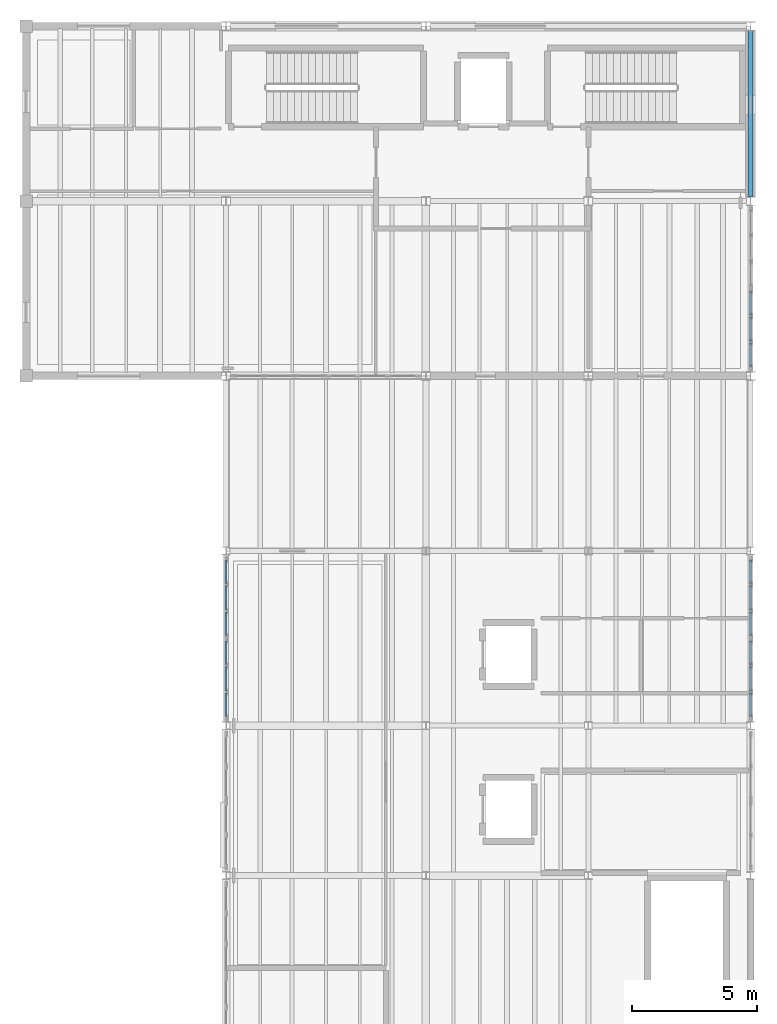
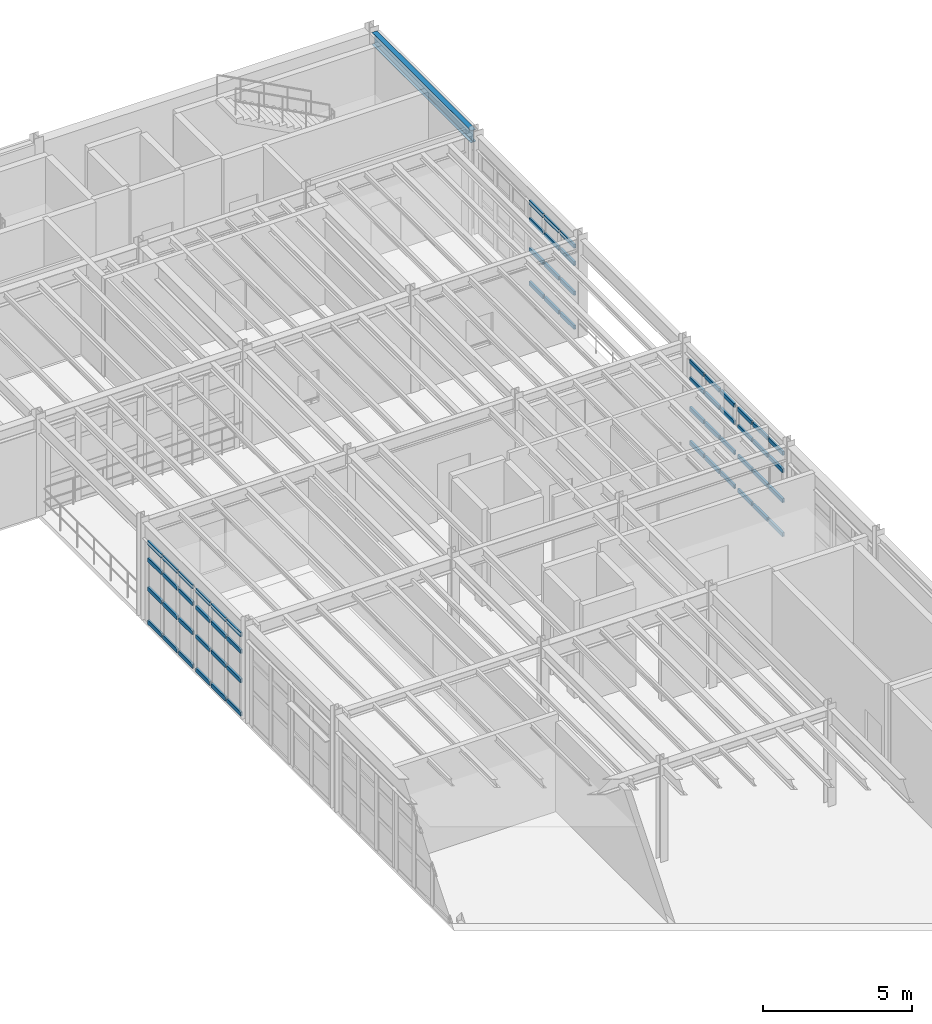
# One storey, part 17 of 27: 60 members, 1 beam, 5 elements without a shape of their own.
"""IFC4 building model written with IfcOpenShell, lengths in metres."""

from ifc_helpers import new_model, si_unit, direction, frame, origin, origin_2d, place, context, subcontext, project, spatial, hollow_rectangle, i_section, extrude, material, material_profile, profile_set, type_object, element, aggregate, save


model = new_model("IFC4")

# Units and contexts
model_context = context("Model", 3, precision=1e-05, world=origin(), true_north=direction((0.0, 1.0)))
body_context = subcontext(model_context, "Body", "Model", "MODEL_VIEW")
ifc_project = project(units=[si_unit("LENGTHUNIT", "METRE"), si_unit("AREAUNIT", "SQUARE_METRE"), si_unit("VOLUMEUNIT", "CUBIC_METRE"), si_unit("PLANEANGLEUNIT", "RADIAN"), si_unit("MASSUNIT", "GRAM", prefix="KILO"), si_unit("THERMODYNAMICTEMPERATUREUNIT", "KELVIN"), si_unit("POWERUNIT", "WATT")], contexts=[model_context])

# Site, building, storey
site_placement = place(None, origin())
site = spatial("IfcSite", under=ifc_project, at=site_placement, CompositionType="ELEMENT")
building_placement = place(site_placement, origin())
building = spatial("IfcBuilding", under=site, at=building_placement, Name="Zhenchuan Central Fire Station", CompositionType="ELEMENT")
storey_placement = place(building_placement, frame((0.0, 0.0, 14.25)))
storey = spatial("IfcBuildingStorey", under=building, at=storey_placement, Name="L04", CompositionType="ELEMENT", Elevation=14.25)

# Curtain wall, members
ifc_material_1 = material(Name="Anodised aluminium and low-E glazing", Category="aluminium")
curtain_wall_type_1 = type_object("IfcCurtainWallType", Name="CW-MOD-12", PredefinedType="USERDEFINED", material=ifc_material_1)
curtain_wall_1_placement = place(storey_placement, origin())
curtain_wall_1 = element("IfcCurtainWall", 1, at=curtain_wall_1_placement, inside=storey, type_object=curtain_wall_type_1, Name="L04 Unitised Curtain Wall 130", ObjectType="UNITISED GLAZING", PredefinedType="USERDEFINED")
ifc_material_2 = material(Name="Anodised aluminium EN AW-6063", Category="aluminium")
ifc_material_profile_1 = material_profile(ifc_material_2, hollow_rectangle(XDim=0.080078125, YDim=0.1650390625, WallThickness=0.0048828125, at=origin_2d()), Name="ALU-T 165x80")
ifc_profile_set_1 = profile_set([ifc_material_profile_1], Name="Anodised aluminium EN AW-6063")
member_type = type_object("IfcMemberType", Name="CW-TRN150", PredefinedType="NOTDEFINED", material=ifc_profile_set_1)
member_1_placement = place(storey_placement, frame((161.0, 28.875, 0.033447265625), z_axis=(0.0, 1.0, 0.0), x_axis=(-1.0, 0.0, 0.0)))
member_1 = element("IfcMember", 2, at=member_1_placement, type_object=member_type, Name="CW-12 transom 1.1", ObjectType="TRANSOM", PredefinedType="USERDEFINED", context=body_context, shape_type="SweptSolid", body=[
    extrude(hollow_rectangle(XDim=0.080078125, YDim=0.1650390625, WallThickness=0.0048828125, at=origin_2d()), origin(), (0.0, 0.0, 1.0), 0.94140625),
])
member_2_placement = place(storey_placement, frame((161.0, 28.875, 1.427978515625), z_axis=(0.0, 1.0, 0.0), x_axis=(-1.0, 0.0, 0.0)))
member_2 = element("IfcMember", 3, at=member_2_placement, type_object=member_type, Name="CW-12 transom 1.2", ObjectType="TRANSOM", PredefinedType="USERDEFINED", context=body_context, shape_type="SweptSolid", body=[
    extrude(hollow_rectangle(XDim=0.080078125, YDim=0.1650390625, WallThickness=0.0048828125, at=origin_2d()), origin(), (0.0, 0.0, 1.0), 0.94140625),
])
member_3_placement = place(storey_placement, frame((161.0, 28.875, 2.652099609375), z_axis=(0.0, 1.0, 0.0), x_axis=(-1.0, 0.0, 0.0)))
member_3 = element("IfcMember", 4, at=member_3_placement, type_object=member_type, Name="CW-12 transom 1.3", ObjectType="TRANSOM", PredefinedType="USERDEFINED", context=body_context, shape_type="SweptSolid", body=[
    extrude(hollow_rectangle(XDim=0.080078125, YDim=0.1650390625, WallThickness=0.0048828125, at=origin_2d()), origin(), (0.0, 0.0, 1.0), 0.94140625),
])
member_4_placement = place(storey_placement, frame((161.0, 28.875, 3.362548828125), z_axis=(0.0, 1.0, 0.0), x_axis=(-1.0, 0.0, 0.0)))
member_4 = element("IfcMember", 5, at=member_4_placement, type_object=member_type, Name="CW-12 transom 1.4", ObjectType="TRANSOM", PredefinedType="USERDEFINED", context=body_context, shape_type="SweptSolid", body=[
    extrude(hollow_rectangle(XDim=0.080078125, YDim=0.1650390625, WallThickness=0.0048828125, at=origin_2d()), origin(), (0.0, 0.0, 1.0), 0.94140625),
])
member_5_placement = place(storey_placement, frame((161.0, 29.8916015625, 0.033447265625), z_axis=(0.0, 1.0, 0.0), x_axis=(-1.0, 0.0, 0.0)))
member_5 = element("IfcMember", 6, at=member_5_placement, type_object=member_type, Name="CW-12 transom 2.1", ObjectType="TRANSOM", PredefinedType="USERDEFINED", context=body_context, shape_type="SweptSolid", body=[
    extrude(hollow_rectangle(XDim=0.080078125, YDim=0.1650390625, WallThickness=0.0048828125, at=origin_2d()), origin(), (0.0, 0.0, 1.0), 0.97900390625),
])
member_6_placement = place(storey_placement, frame((161.0, 29.8916015625, 1.427978515625), z_axis=(0.0, 1.0, 0.0), x_axis=(-1.0, 0.0, 0.0)))
member_6 = element("IfcMember", 7, at=member_6_placement, type_object=member_type, Name="CW-12 transom 2.2", ObjectType="TRANSOM", PredefinedType="USERDEFINED", context=body_context, shape_type="SweptSolid", body=[
    extrude(hollow_rectangle(XDim=0.080078125, YDim=0.1650390625, WallThickness=0.0048828125, at=origin_2d()), origin(), (0.0, 0.0, 1.0), 0.97900390625),
])
member_7_placement = place(storey_placement, frame((161.0, 29.8916015625, 2.652099609375), z_axis=(0.0, 1.0, 0.0), x_axis=(-1.0, 0.0, 0.0)))
member_7 = element("IfcMember", 8, at=member_7_placement, type_object=member_type, Name="CW-12 transom 2.3", ObjectType="TRANSOM", PredefinedType="USERDEFINED", context=body_context, shape_type="SweptSolid", body=[
    extrude(hollow_rectangle(XDim=0.080078125, YDim=0.1650390625, WallThickness=0.0048828125, at=origin_2d()), origin(), (0.0, 0.0, 1.0), 0.97900390625),
])
member_8_placement = place(storey_placement, frame((161.0, 29.8916015625, 3.362548828125), z_axis=(0.0, 1.0, 0.0), x_axis=(-1.0, 0.0, 0.0)))
member_8 = element("IfcMember", 9, at=member_8_placement, type_object=member_type, Name="CW-12 transom 2.4", ObjectType="TRANSOM", PredefinedType="USERDEFINED", context=body_context, shape_type="SweptSolid", body=[
    extrude(hollow_rectangle(XDim=0.080078125, YDim=0.1650390625, WallThickness=0.0048828125, at=origin_2d()), origin(), (0.0, 0.0, 1.0), 0.97900390625),
])
member_9_placement = place(storey_placement, frame((161.0, 30.945556640625, 0.033447265625), z_axis=(0.0, 1.0, 0.0), x_axis=(-1.0, 0.0, 0.0)))
member_9 = element("IfcMember", 10, at=member_9_placement, type_object=member_type, Name="CW-12 transom 3.1", ObjectType="TRANSOM", PredefinedType="USERDEFINED", context=body_context, shape_type="SweptSolid", body=[
    extrude(hollow_rectangle(XDim=0.080078125, YDim=0.1650390625, WallThickness=0.0048828125, at=origin_2d()), origin(), (0.0, 0.0, 1.0), 0.94140625),
])
member_10_placement = place(storey_placement, frame((161.0, 30.945556640625, 1.427978515625), z_axis=(0.0, 1.0, 0.0), x_axis=(-1.0, 0.0, 0.0)))
member_10 = element("IfcMember", 11, at=member_10_placement, type_object=member_type, Name="CW-12 transom 3.2", ObjectType="TRANSOM", PredefinedType="USERDEFINED", context=body_context, shape_type="SweptSolid", body=[
    extrude(hollow_rectangle(XDim=0.080078125, YDim=0.1650390625, WallThickness=0.0048828125, at=origin_2d()), origin(), (0.0, 0.0, 1.0), 0.94140625),
])
member_11_placement = place(storey_placement, frame((161.0, 30.945556640625, 2.652099609375), z_axis=(0.0, 1.0, 0.0), x_axis=(-1.0, 0.0, 0.0)))
member_11 = element("IfcMember", 12, at=member_11_placement, type_object=member_type, Name="CW-12 transom 3.3", ObjectType="TRANSOM", PredefinedType="USERDEFINED", context=body_context, shape_type="SweptSolid", body=[
    extrude(hollow_rectangle(XDim=0.080078125, YDim=0.1650390625, WallThickness=0.0048828125, at=origin_2d()), origin(), (0.0, 0.0, 1.0), 0.94140625),
])
member_12_placement = place(storey_placement, frame((161.0, 30.945556640625, 3.362548828125), z_axis=(0.0, 1.0, 0.0), x_axis=(-1.0, 0.0, 0.0)))
member_12 = element("IfcMember", 13, at=member_12_placement, type_object=member_type, Name="CW-12 transom 3.4", ObjectType="TRANSOM", PredefinedType="USERDEFINED", context=body_context, shape_type="SweptSolid", body=[
    extrude(hollow_rectangle(XDim=0.080078125, YDim=0.1650390625, WallThickness=0.0048828125, at=origin_2d()), origin(), (0.0, 0.0, 1.0), 0.94140625),
])
aggregate(curtain_wall_1, [member_1, member_2, member_3, member_4, member_5, member_6, member_7, member_8, member_9, member_10, member_11, member_12])

curtain_wall_type_2 = type_object("IfcCurtainWallType", Name="CW-MOD-13", PredefinedType="USERDEFINED", material=ifc_material_1)
curtain_wall_2_placement = place(storey_placement, origin())
curtain_wall_2 = element("IfcCurtainWall", 14, at=curtain_wall_2_placement, inside=storey, type_object=curtain_wall_type_2, Name="L04 Unitised Curtain Wall 131", ObjectType="UNITISED GLAZING", PredefinedType="USERDEFINED")
member_13_placement = place(storey_placement, frame((161.0, 32.113037109375, 0.033447265625), z_axis=(0.0, 1.0, 0.0), x_axis=(-1.0, 0.0, 0.0)))
member_13 = element("IfcMember", 15, at=member_13_placement, type_object=member_type, Name="CW-13 transom 1.1", ObjectType="TRANSOM", PredefinedType="USERDEFINED", context=body_context, shape_type="SweptSolid", body=[
    extrude(hollow_rectangle(XDim=0.080078125, YDim=0.1650390625, WallThickness=0.0048828125, at=origin_2d()), origin(), (0.0, 0.0, 1.0), 0.94140625),
])
member_14_placement = place(storey_placement, frame((161.0, 32.113037109375, 1.427978515625), z_axis=(0.0, 1.0, 0.0), x_axis=(-1.0, 0.0, 0.0)))
member_14 = element("IfcMember", 16, at=member_14_placement, type_object=member_type, Name="CW-13 transom 1.2", ObjectType="TRANSOM", PredefinedType="USERDEFINED", context=body_context, shape_type="SweptSolid", body=[
    extrude(hollow_rectangle(XDim=0.080078125, YDim=0.1650390625, WallThickness=0.0048828125, at=origin_2d()), origin(), (0.0, 0.0, 1.0), 0.94140625),
])
member_15_placement = place(storey_placement, frame((161.0, 32.113037109375, 2.652099609375), z_axis=(0.0, 1.0, 0.0), x_axis=(-1.0, 0.0, 0.0)))
member_15 = element("IfcMember", 17, at=member_15_placement, type_object=member_type, Name="CW-13 transom 1.3", ObjectType="TRANSOM", PredefinedType="USERDEFINED", context=body_context, shape_type="SweptSolid", body=[
    extrude(hollow_rectangle(XDim=0.080078125, YDim=0.1650390625, WallThickness=0.0048828125, at=origin_2d()), origin(), (0.0, 0.0, 1.0), 0.94140625),
])
member_16_placement = place(storey_placement, frame((161.0, 32.113037109375, 3.362548828125), z_axis=(0.0, 1.0, 0.0), x_axis=(-1.0, 0.0, 0.0)))
member_16 = element("IfcMember", 18, at=member_16_placement, type_object=member_type, Name="CW-13 transom 1.4", ObjectType="TRANSOM", PredefinedType="USERDEFINED", context=body_context, shape_type="SweptSolid", body=[
    extrude(hollow_rectangle(XDim=0.080078125, YDim=0.1650390625, WallThickness=0.0048828125, at=origin_2d()), origin(), (0.0, 0.0, 1.0), 0.94140625),
])
member_17_placement = place(storey_placement, frame((161.0, 33.12939453125, 0.033447265625), z_axis=(0.0, 1.0, 0.0), x_axis=(-1.0, 0.0, 0.0)))
member_17 = element("IfcMember", 19, at=member_17_placement, type_object=member_type, Name="CW-13 transom 2.1", ObjectType="TRANSOM", PredefinedType="USERDEFINED", context=body_context, shape_type="SweptSolid", body=[
    extrude(hollow_rectangle(XDim=0.080078125, YDim=0.1650390625, WallThickness=0.0048828125, at=origin_2d()), origin(), (0.0, 0.0, 1.0), 0.97900390625),
])
member_18_placement = place(storey_placement, frame((161.0, 33.12939453125, 1.427978515625), z_axis=(0.0, 1.0, 0.0), x_axis=(-1.0, 0.0, 0.0)))
member_18 = element("IfcMember", 20, at=member_18_placement, type_object=member_type, Name="CW-13 transom 2.2", ObjectType="TRANSOM", PredefinedType="USERDEFINED", context=body_context, shape_type="SweptSolid", body=[
    extrude(hollow_rectangle(XDim=0.080078125, YDim=0.1650390625, WallThickness=0.0048828125, at=origin_2d()), origin(), (0.0, 0.0, 1.0), 0.97900390625),
])
member_19_placement = place(storey_placement, frame((161.0, 33.12939453125, 2.652099609375), z_axis=(0.0, 1.0, 0.0), x_axis=(-1.0, 0.0, 0.0)))
member_19 = element("IfcMember", 21, at=member_19_placement, type_object=member_type, Name="CW-13 transom 2.3", ObjectType="TRANSOM", PredefinedType="USERDEFINED", context=body_context, shape_type="SweptSolid", body=[
    extrude(hollow_rectangle(XDim=0.080078125, YDim=0.1650390625, WallThickness=0.0048828125, at=origin_2d()), origin(), (0.0, 0.0, 1.0), 0.97900390625),
])
member_20_placement = place(storey_placement, frame((161.0, 33.12939453125, 3.362548828125), z_axis=(0.0, 1.0, 0.0), x_axis=(-1.0, 0.0, 0.0)))
member_20 = element("IfcMember", 22, at=member_20_placement, type_object=member_type, Name="CW-13 transom 2.4", ObjectType="TRANSOM", PredefinedType="USERDEFINED", context=body_context, shape_type="SweptSolid", body=[
    extrude(hollow_rectangle(XDim=0.080078125, YDim=0.1650390625, WallThickness=0.0048828125, at=origin_2d()), origin(), (0.0, 0.0, 1.0), 0.97900390625),
])
member_21_placement = place(storey_placement, frame((161.0, 34.18359375, 0.033447265625), z_axis=(0.0, 1.0, 0.0), x_axis=(-1.0, 0.0, 0.0)))
member_21 = element("IfcMember", 23, at=member_21_placement, type_object=member_type, Name="CW-13 transom 3.1", ObjectType="TRANSOM", PredefinedType="USERDEFINED", context=body_context, shape_type="SweptSolid", body=[
    extrude(hollow_rectangle(XDim=0.080078125, YDim=0.1650390625, WallThickness=0.0048828125, at=origin_2d()), origin(), (0.0, 0.0, 1.0), 0.94140625),
])
member_22_placement = place(storey_placement, frame((161.0, 34.18359375, 1.427978515625), z_axis=(0.0, 1.0, 0.0), x_axis=(-1.0, 0.0, 0.0)))
member_22 = element("IfcMember", 24, at=member_22_placement, type_object=member_type, Name="CW-13 transom 3.2", ObjectType="TRANSOM", PredefinedType="USERDEFINED", context=body_context, shape_type="SweptSolid", body=[
    extrude(hollow_rectangle(XDim=0.080078125, YDim=0.1650390625, WallThickness=0.0048828125, at=origin_2d()), origin(), (0.0, 0.0, 1.0), 0.94140625),
])
member_23_placement = place(storey_placement, frame((161.0, 34.18359375, 2.652099609375), z_axis=(0.0, 1.0, 0.0), x_axis=(-1.0, 0.0, 0.0)))
member_23 = element("IfcMember", 25, at=member_23_placement, type_object=member_type, Name="CW-13 transom 3.3", ObjectType="TRANSOM", PredefinedType="USERDEFINED", context=body_context, shape_type="SweptSolid", body=[
    extrude(hollow_rectangle(XDim=0.080078125, YDim=0.1650390625, WallThickness=0.0048828125, at=origin_2d()), origin(), (0.0, 0.0, 1.0), 0.94140625),
])
member_24_placement = place(storey_placement, frame((161.0, 34.18359375, 3.362548828125), z_axis=(0.0, 1.0, 0.0), x_axis=(-1.0, 0.0, 0.0)))
member_24 = element("IfcMember", 26, at=member_24_placement, type_object=member_type, Name="CW-13 transom 3.4", ObjectType="TRANSOM", PredefinedType="USERDEFINED", context=body_context, shape_type="SweptSolid", body=[
    extrude(hollow_rectangle(XDim=0.080078125, YDim=0.1650390625, WallThickness=0.0048828125, at=origin_2d()), origin(), (0.0, 0.0, 1.0), 0.94140625),
])
aggregate(curtain_wall_2, [member_13, member_14, member_15, member_16, member_17, member_18, member_19, member_20, member_21, member_22, member_23, member_24])

curtain_wall_type_3 = type_object("IfcCurtainWallType", Name="CW-MOD-16", PredefinedType="USERDEFINED", material=ifc_material_1)
curtain_wall_3_placement = place(storey_placement, origin())
curtain_wall_3 = element("IfcCurtainWall", 27, at=curtain_wall_3_placement, inside=storey, type_object=curtain_wall_type_3, Name="L04 Unitised Curtain Wall 140", ObjectType="UNITISED GLAZING", PredefinedType="USERDEFINED")
member_25_placement = place(storey_placement, frame((140.0, 28.875, 0.033447265625), z_axis=(0.0, 1.0, 0.0), x_axis=(-1.0, 0.0, 0.0)))
member_25 = element("IfcMember", 28, at=member_25_placement, type_object=member_type, Name="CW-16 transom 1.1", ObjectType="TRANSOM", PredefinedType="USERDEFINED", context=body_context, shape_type="SweptSolid", body=[
    extrude(hollow_rectangle(XDim=0.080078125, YDim=0.1650390625, WallThickness=0.0048828125, at=origin_2d()), origin(), (0.0, 0.0, 1.0), 0.94140625),
])
member_26_placement = place(storey_placement, frame((140.0, 28.875, 1.39599609375), z_axis=(0.0, 1.0, 0.0), x_axis=(-1.0, 0.0, 0.0)))
member_26 = element("IfcMember", 29, at=member_26_placement, type_object=member_type, Name="CW-16 transom 1.2", ObjectType="TRANSOM", PredefinedType="USERDEFINED", context=body_context, shape_type="SweptSolid", body=[
    extrude(hollow_rectangle(XDim=0.080078125, YDim=0.1650390625, WallThickness=0.0048828125, at=origin_2d()), origin(), (0.0, 0.0, 1.0), 0.94140625),
])
member_27_placement = place(storey_placement, frame((140.0, 28.875, 2.5927734375), z_axis=(0.0, 1.0, 0.0), x_axis=(-1.0, 0.0, 0.0)))
member_27 = element("IfcMember", 30, at=member_27_placement, type_object=member_type, Name="CW-16 transom 1.3", ObjectType="TRANSOM", PredefinedType="USERDEFINED", context=body_context, shape_type="SweptSolid", body=[
    extrude(hollow_rectangle(XDim=0.080078125, YDim=0.1650390625, WallThickness=0.0048828125, at=origin_2d()), origin(), (0.0, 0.0, 1.0), 0.94140625),
])
member_28_placement = place(storey_placement, frame((140.0, 28.875, 3.28662109375), z_axis=(0.0, 1.0, 0.0), x_axis=(-1.0, 0.0, 0.0)))
member_28 = element("IfcMember", 31, at=member_28_placement, type_object=member_type, Name="CW-16 transom 1.4", ObjectType="TRANSOM", PredefinedType="USERDEFINED", context=body_context, shape_type="SweptSolid", body=[
    extrude(hollow_rectangle(XDim=0.080078125, YDim=0.1650390625, WallThickness=0.0048828125, at=origin_2d()), origin(), (0.0, 0.0, 1.0), 0.94140625),
])
member_29_placement = place(storey_placement, frame((140.0, 29.8916015625, 0.033447265625), z_axis=(0.0, 1.0, 0.0), x_axis=(-1.0, 0.0, 0.0)))
member_29 = element("IfcMember", 32, at=member_29_placement, type_object=member_type, Name="CW-16 transom 2.1", ObjectType="TRANSOM", PredefinedType="USERDEFINED", context=body_context, shape_type="SweptSolid", body=[
    extrude(hollow_rectangle(XDim=0.080078125, YDim=0.1650390625, WallThickness=0.0048828125, at=origin_2d()), origin(), (0.0, 0.0, 1.0), 0.97900390625),
])
member_30_placement = place(storey_placement, frame((140.0, 29.8916015625, 1.39599609375), z_axis=(0.0, 1.0, 0.0), x_axis=(-1.0, 0.0, 0.0)))
member_30 = element("IfcMember", 33, at=member_30_placement, type_object=member_type, Name="CW-16 transom 2.2", ObjectType="TRANSOM", PredefinedType="USERDEFINED", context=body_context, shape_type="SweptSolid", body=[
    extrude(hollow_rectangle(XDim=0.080078125, YDim=0.1650390625, WallThickness=0.0048828125, at=origin_2d()), origin(), (0.0, 0.0, 1.0), 0.97900390625),
])
member_31_placement = place(storey_placement, frame((140.0, 29.8916015625, 2.5927734375), z_axis=(0.0, 1.0, 0.0), x_axis=(-1.0, 0.0, 0.0)))
member_31 = element("IfcMember", 34, at=member_31_placement, type_object=member_type, Name="CW-16 transom 2.3", ObjectType="TRANSOM", PredefinedType="USERDEFINED", context=body_context, shape_type="SweptSolid", body=[
    extrude(hollow_rectangle(XDim=0.080078125, YDim=0.1650390625, WallThickness=0.0048828125, at=origin_2d()), origin(), (0.0, 0.0, 1.0), 0.97900390625),
])
member_32_placement = place(storey_placement, frame((140.0, 29.8916015625, 3.28662109375), z_axis=(0.0, 1.0, 0.0), x_axis=(-1.0, 0.0, 0.0)))
member_32 = element("IfcMember", 35, at=member_32_placement, type_object=member_type, Name="CW-16 transom 2.4", ObjectType="TRANSOM", PredefinedType="USERDEFINED", context=body_context, shape_type="SweptSolid", body=[
    extrude(hollow_rectangle(XDim=0.080078125, YDim=0.1650390625, WallThickness=0.0048828125, at=origin_2d()), origin(), (0.0, 0.0, 1.0), 0.97900390625),
])
member_33_placement = place(storey_placement, frame((140.0, 30.945556640625, 0.033447265625), z_axis=(0.0, 1.0, 0.0), x_axis=(-1.0, 0.0, 0.0)))
member_33 = element("IfcMember", 36, at=member_33_placement, type_object=member_type, Name="CW-16 transom 3.1", ObjectType="TRANSOM", PredefinedType="USERDEFINED", context=body_context, shape_type="SweptSolid", body=[
    extrude(hollow_rectangle(XDim=0.080078125, YDim=0.1650390625, WallThickness=0.0048828125, at=origin_2d()), origin(), (0.0, 0.0, 1.0), 0.94140625),
])
member_34_placement = place(storey_placement, frame((140.0, 30.945556640625, 1.39599609375), z_axis=(0.0, 1.0, 0.0), x_axis=(-1.0, 0.0, 0.0)))
member_34 = element("IfcMember", 37, at=member_34_placement, type_object=member_type, Name="CW-16 transom 3.2", ObjectType="TRANSOM", PredefinedType="USERDEFINED", context=body_context, shape_type="SweptSolid", body=[
    extrude(hollow_rectangle(XDim=0.080078125, YDim=0.1650390625, WallThickness=0.0048828125, at=origin_2d()), origin(), (0.0, 0.0, 1.0), 0.94140625),
])
member_35_placement = place(storey_placement, frame((140.0, 30.945556640625, 2.5927734375), z_axis=(0.0, 1.0, 0.0), x_axis=(-1.0, 0.0, 0.0)))
member_35 = element("IfcMember", 38, at=member_35_placement, type_object=member_type, Name="CW-16 transom 3.3", ObjectType="TRANSOM", PredefinedType="USERDEFINED", context=body_context, shape_type="SweptSolid", body=[
    extrude(hollow_rectangle(XDim=0.080078125, YDim=0.1650390625, WallThickness=0.0048828125, at=origin_2d()), origin(), (0.0, 0.0, 1.0), 0.94140625),
])
member_36_placement = place(storey_placement, frame((140.0, 30.945556640625, 3.28662109375), z_axis=(0.0, 1.0, 0.0), x_axis=(-1.0, 0.0, 0.0)))
member_36 = element("IfcMember", 39, at=member_36_placement, type_object=member_type, Name="CW-16 transom 3.4", ObjectType="TRANSOM", PredefinedType="USERDEFINED", context=body_context, shape_type="SweptSolid", body=[
    extrude(hollow_rectangle(XDim=0.080078125, YDim=0.1650390625, WallThickness=0.0048828125, at=origin_2d()), origin(), (0.0, 0.0, 1.0), 0.94140625),
])
aggregate(curtain_wall_3, [member_25, member_26, member_27, member_28, member_29, member_30, member_31, member_32, member_33, member_34, member_35, member_36])

curtain_wall_type_4 = type_object("IfcCurtainWallType", Name="CW-MOD-17", PredefinedType="USERDEFINED", material=ifc_material_1)
curtain_wall_4_placement = place(storey_placement, origin())
curtain_wall_4 = element("IfcCurtainWall", 40, at=curtain_wall_4_placement, inside=storey, type_object=curtain_wall_type_4, Name="L04 Unitised Curtain Wall 141", ObjectType="UNITISED GLAZING", PredefinedType="USERDEFINED")
member_37_placement = place(storey_placement, frame((140.0, 32.113037109375, 0.033447265625), z_axis=(0.0, 1.0, 0.0), x_axis=(-1.0, 0.0, 0.0)))
member_37 = element("IfcMember", 41, at=member_37_placement, type_object=member_type, Name="CW-17 transom 1.1", ObjectType="TRANSOM", PredefinedType="USERDEFINED", context=body_context, shape_type="SweptSolid", body=[
    extrude(hollow_rectangle(XDim=0.080078125, YDim=0.1650390625, WallThickness=0.0048828125, at=origin_2d()), origin(), (0.0, 0.0, 1.0), 0.94140625),
])
member_38_placement = place(storey_placement, frame((140.0, 32.113037109375, 1.39599609375), z_axis=(0.0, 1.0, 0.0), x_axis=(-1.0, 0.0, 0.0)))
member_38 = element("IfcMember", 42, at=member_38_placement, type_object=member_type, Name="CW-17 transom 1.2", ObjectType="TRANSOM", PredefinedType="USERDEFINED", context=body_context, shape_type="SweptSolid", body=[
    extrude(hollow_rectangle(XDim=0.080078125, YDim=0.1650390625, WallThickness=0.0048828125, at=origin_2d()), origin(), (0.0, 0.0, 1.0), 0.94140625),
])
member_39_placement = place(storey_placement, frame((140.0, 32.113037109375, 2.5927734375), z_axis=(0.0, 1.0, 0.0), x_axis=(-1.0, 0.0, 0.0)))
member_39 = element("IfcMember", 43, at=member_39_placement, type_object=member_type, Name="CW-17 transom 1.3", ObjectType="TRANSOM", PredefinedType="USERDEFINED", context=body_context, shape_type="SweptSolid", body=[
    extrude(hollow_rectangle(XDim=0.080078125, YDim=0.1650390625, WallThickness=0.0048828125, at=origin_2d()), origin(), (0.0, 0.0, 1.0), 0.94140625),
])
member_40_placement = place(storey_placement, frame((140.0, 32.113037109375, 3.28662109375), z_axis=(0.0, 1.0, 0.0), x_axis=(-1.0, 0.0, 0.0)))
member_40 = element("IfcMember", 44, at=member_40_placement, type_object=member_type, Name="CW-17 transom 1.4", ObjectType="TRANSOM", PredefinedType="USERDEFINED", context=body_context, shape_type="SweptSolid", body=[
    extrude(hollow_rectangle(XDim=0.080078125, YDim=0.1650390625, WallThickness=0.0048828125, at=origin_2d()), origin(), (0.0, 0.0, 1.0), 0.94140625),
])
member_41_placement = place(storey_placement, frame((140.0, 33.12939453125, 0.033447265625), z_axis=(0.0, 1.0, 0.0), x_axis=(-1.0, 0.0, 0.0)))
member_41 = element("IfcMember", 45, at=member_41_placement, type_object=member_type, Name="CW-17 transom 2.1", ObjectType="TRANSOM", PredefinedType="USERDEFINED", context=body_context, shape_type="SweptSolid", body=[
    extrude(hollow_rectangle(XDim=0.080078125, YDim=0.1650390625, WallThickness=0.0048828125, at=origin_2d()), origin(), (0.0, 0.0, 1.0), 0.97900390625),
])
member_42_placement = place(storey_placement, frame((140.0, 33.12939453125, 1.39599609375), z_axis=(0.0, 1.0, 0.0), x_axis=(-1.0, 0.0, 0.0)))
member_42 = element("IfcMember", 46, at=member_42_placement, type_object=member_type, Name="CW-17 transom 2.2", ObjectType="TRANSOM", PredefinedType="USERDEFINED", context=body_context, shape_type="SweptSolid", body=[
    extrude(hollow_rectangle(XDim=0.080078125, YDim=0.1650390625, WallThickness=0.0048828125, at=origin_2d()), origin(), (0.0, 0.0, 1.0), 0.97900390625),
])
member_43_placement = place(storey_placement, frame((140.0, 33.12939453125, 2.5927734375), z_axis=(0.0, 1.0, 0.0), x_axis=(-1.0, 0.0, 0.0)))
member_43 = element("IfcMember", 47, at=member_43_placement, type_object=member_type, Name="CW-17 transom 2.3", ObjectType="TRANSOM", PredefinedType="USERDEFINED", context=body_context, shape_type="SweptSolid", body=[
    extrude(hollow_rectangle(XDim=0.080078125, YDim=0.1650390625, WallThickness=0.0048828125, at=origin_2d()), origin(), (0.0, 0.0, 1.0), 0.97900390625),
])
member_44_placement = place(storey_placement, frame((140.0, 33.12939453125, 3.28662109375), z_axis=(0.0, 1.0, 0.0), x_axis=(-1.0, 0.0, 0.0)))
member_44 = element("IfcMember", 48, at=member_44_placement, type_object=member_type, Name="CW-17 transom 2.4", ObjectType="TRANSOM", PredefinedType="USERDEFINED", context=body_context, shape_type="SweptSolid", body=[
    extrude(hollow_rectangle(XDim=0.080078125, YDim=0.1650390625, WallThickness=0.0048828125, at=origin_2d()), origin(), (0.0, 0.0, 1.0), 0.97900390625),
])
member_45_placement = place(storey_placement, frame((140.0, 34.18359375, 0.033447265625), z_axis=(0.0, 1.0, 0.0), x_axis=(-1.0, 0.0, 0.0)))
member_45 = element("IfcMember", 49, at=member_45_placement, type_object=member_type, Name="CW-17 transom 3.1", ObjectType="TRANSOM", PredefinedType="USERDEFINED", context=body_context, shape_type="SweptSolid", body=[
    extrude(hollow_rectangle(XDim=0.080078125, YDim=0.1650390625, WallThickness=0.0048828125, at=origin_2d()), origin(), (0.0, 0.0, 1.0), 0.94140625),
])
member_46_placement = place(storey_placement, frame((140.0, 34.18359375, 1.39599609375), z_axis=(0.0, 1.0, 0.0), x_axis=(-1.0, 0.0, 0.0)))
member_46 = element("IfcMember", 50, at=member_46_placement, type_object=member_type, Name="CW-17 transom 3.2", ObjectType="TRANSOM", PredefinedType="USERDEFINED", context=body_context, shape_type="SweptSolid", body=[
    extrude(hollow_rectangle(XDim=0.080078125, YDim=0.1650390625, WallThickness=0.0048828125, at=origin_2d()), origin(), (0.0, 0.0, 1.0), 0.94140625),
])
member_47_placement = place(storey_placement, frame((140.0, 34.18359375, 2.5927734375), z_axis=(0.0, 1.0, 0.0), x_axis=(-1.0, 0.0, 0.0)))
member_47 = element("IfcMember", 51, at=member_47_placement, type_object=member_type, Name="CW-17 transom 3.3", ObjectType="TRANSOM", PredefinedType="USERDEFINED", context=body_context, shape_type="SweptSolid", body=[
    extrude(hollow_rectangle(XDim=0.080078125, YDim=0.1650390625, WallThickness=0.0048828125, at=origin_2d()), origin(), (0.0, 0.0, 1.0), 0.94140625),
])
member_48_placement = place(storey_placement, frame((140.0, 34.18359375, 3.28662109375), z_axis=(0.0, 1.0, 0.0), x_axis=(-1.0, 0.0, 0.0)))
member_48 = element("IfcMember", 52, at=member_48_placement, type_object=member_type, Name="CW-17 transom 3.4", ObjectType="TRANSOM", PredefinedType="USERDEFINED", context=body_context, shape_type="SweptSolid", body=[
    extrude(hollow_rectangle(XDim=0.080078125, YDim=0.1650390625, WallThickness=0.0048828125, at=origin_2d()), origin(), (0.0, 0.0, 1.0), 0.94140625),
])
aggregate(curtain_wall_4, [member_37, member_38, member_39, member_40, member_41, member_42, member_43, member_44, member_45, member_46, member_47, member_48])

curtain_wall_type_5 = type_object("IfcCurtainWallType", Name="CW-MOD-14", PredefinedType="USERDEFINED", material=ifc_material_1)
curtain_wall_5_placement = place(storey_placement, origin())
curtain_wall_5 = element("IfcCurtainWall", 53, at=curtain_wall_5_placement, inside=storey, type_object=curtain_wall_type_5, Name="L04 Unitised Curtain Wall 146", ObjectType="UNITISED GLAZING", PredefinedType="USERDEFINED")
member_49_placement = place(storey_placement, frame((161.0, 42.875, 0.033447265625), z_axis=(0.0, 1.0, 0.0), x_axis=(-1.0, 0.0, 0.0)))
member_49 = element("IfcMember", 54, at=member_49_placement, type_object=member_type, Name="CW-14 transom 1.1", ObjectType="TRANSOM", PredefinedType="USERDEFINED", context=body_context, shape_type="SweptSolid", body=[
    extrude(hollow_rectangle(XDim=0.080078125, YDim=0.1650390625, WallThickness=0.0048828125, at=origin_2d()), origin(), (0.0, 0.0, 1.0), 0.94140625),
])
member_50_placement = place(storey_placement, frame((161.0, 42.875, 1.425537109375), z_axis=(0.0, 1.0, 0.0), x_axis=(-1.0, 0.0, 0.0)))
member_50 = element("IfcMember", 55, at=member_50_placement, type_object=member_type, Name="CW-14 transom 1.2", ObjectType="TRANSOM", PredefinedType="USERDEFINED", context=body_context, shape_type="SweptSolid", body=[
    extrude(hollow_rectangle(XDim=0.080078125, YDim=0.1650390625, WallThickness=0.0048828125, at=origin_2d()), origin(), (0.0, 0.0, 1.0), 0.94140625),
])
member_51_placement = place(storey_placement, frame((161.0, 42.875, 2.647216796875), z_axis=(0.0, 1.0, 0.0), x_axis=(-1.0, 0.0, 0.0)))
member_51 = element("IfcMember", 56, at=member_51_placement, type_object=member_type, Name="CW-14 transom 1.3", ObjectType="TRANSOM", PredefinedType="USERDEFINED", context=body_context, shape_type="SweptSolid", body=[
    extrude(hollow_rectangle(XDim=0.080078125, YDim=0.1650390625, WallThickness=0.0048828125, at=origin_2d()), origin(), (0.0, 0.0, 1.0), 0.94140625),
])
member_52_placement = place(storey_placement, frame((161.0, 42.875, 3.3564453125), z_axis=(0.0, 1.0, 0.0), x_axis=(-1.0, 0.0, 0.0)))
member_52 = element("IfcMember", 57, at=member_52_placement, type_object=member_type, Name="CW-14 transom 1.4", ObjectType="TRANSOM", PredefinedType="USERDEFINED", context=body_context, shape_type="SweptSolid", body=[
    extrude(hollow_rectangle(XDim=0.080078125, YDim=0.1650390625, WallThickness=0.0048828125, at=origin_2d()), origin(), (0.0, 0.0, 1.0), 0.94140625),
])
member_53_placement = place(storey_placement, frame((161.0, 43.8916015625, 0.033447265625), z_axis=(0.0, 1.0, 0.0), x_axis=(-1.0, 0.0, 0.0)))
member_53 = element("IfcMember", 58, at=member_53_placement, type_object=member_type, Name="CW-14 transom 2.1", ObjectType="TRANSOM", PredefinedType="USERDEFINED", context=body_context, shape_type="SweptSolid", body=[
    extrude(hollow_rectangle(XDim=0.080078125, YDim=0.1650390625, WallThickness=0.0048828125, at=origin_2d()), origin(), (0.0, 0.0, 1.0), 0.97900390625),
])
member_54_placement = place(storey_placement, frame((161.0, 43.8916015625, 1.425537109375), z_axis=(0.0, 1.0, 0.0), x_axis=(-1.0, 0.0, 0.0)))
member_54 = element("IfcMember", 59, at=member_54_placement, type_object=member_type, Name="CW-14 transom 2.2", ObjectType="TRANSOM", PredefinedType="USERDEFINED", context=body_context, shape_type="SweptSolid", body=[
    extrude(hollow_rectangle(XDim=0.080078125, YDim=0.1650390625, WallThickness=0.0048828125, at=origin_2d()), origin(), (0.0, 0.0, 1.0), 0.97900390625),
])
member_55_placement = place(storey_placement, frame((161.0, 43.8916015625, 2.647216796875), z_axis=(0.0, 1.0, 0.0), x_axis=(-1.0, 0.0, 0.0)))
member_55 = element("IfcMember", 60, at=member_55_placement, type_object=member_type, Name="CW-14 transom 2.3", ObjectType="TRANSOM", PredefinedType="USERDEFINED", context=body_context, shape_type="SweptSolid", body=[
    extrude(hollow_rectangle(XDim=0.080078125, YDim=0.1650390625, WallThickness=0.0048828125, at=origin_2d()), origin(), (0.0, 0.0, 1.0), 0.97900390625),
])
member_56_placement = place(storey_placement, frame((161.0, 43.8916015625, 3.3564453125), z_axis=(0.0, 1.0, 0.0), x_axis=(-1.0, 0.0, 0.0)))
member_56 = element("IfcMember", 61, at=member_56_placement, type_object=member_type, Name="CW-14 transom 2.4", ObjectType="TRANSOM", PredefinedType="USERDEFINED", context=body_context, shape_type="SweptSolid", body=[
    extrude(hollow_rectangle(XDim=0.080078125, YDim=0.1650390625, WallThickness=0.0048828125, at=origin_2d()), origin(), (0.0, 0.0, 1.0), 0.97900390625),
])
member_57_placement = place(storey_placement, frame((161.0, 44.945556640625, 0.033447265625), z_axis=(0.0, 1.0, 0.0), x_axis=(-1.0, 0.0, 0.0)))
member_57 = element("IfcMember", 62, at=member_57_placement, type_object=member_type, Name="CW-14 transom 3.1", ObjectType="TRANSOM", PredefinedType="USERDEFINED", context=body_context, shape_type="SweptSolid", body=[
    extrude(hollow_rectangle(XDim=0.080078125, YDim=0.1650390625, WallThickness=0.0048828125, at=origin_2d()), origin(), (0.0, 0.0, 1.0), 0.94140625),
])
member_58_placement = place(storey_placement, frame((161.0, 44.945556640625, 1.425537109375), z_axis=(0.0, 1.0, 0.0), x_axis=(-1.0, 0.0, 0.0)))
member_58 = element("IfcMember", 63, at=member_58_placement, type_object=member_type, Name="CW-14 transom 3.2", ObjectType="TRANSOM", PredefinedType="USERDEFINED", context=body_context, shape_type="SweptSolid", body=[
    extrude(hollow_rectangle(XDim=0.080078125, YDim=0.1650390625, WallThickness=0.0048828125, at=origin_2d()), origin(), (0.0, 0.0, 1.0), 0.94140625),
])
member_59_placement = place(storey_placement, frame((161.0, 44.945556640625, 2.647216796875), z_axis=(0.0, 1.0, 0.0), x_axis=(-1.0, 0.0, 0.0)))
member_59 = element("IfcMember", 64, at=member_59_placement, type_object=member_type, Name="CW-14 transom 3.3", ObjectType="TRANSOM", PredefinedType="USERDEFINED", context=body_context, shape_type="SweptSolid", body=[
    extrude(hollow_rectangle(XDim=0.080078125, YDim=0.1650390625, WallThickness=0.0048828125, at=origin_2d()), origin(), (0.0, 0.0, 1.0), 0.94140625),
])
member_60_placement = place(storey_placement, frame((161.0, 44.945556640625, 3.3564453125), z_axis=(0.0, 1.0, 0.0), x_axis=(-1.0, 0.0, 0.0)))
member_60 = element("IfcMember", 65, at=member_60_placement, type_object=member_type, Name="CW-14 transom 3.4", ObjectType="TRANSOM", PredefinedType="USERDEFINED", context=body_context, shape_type="SweptSolid", body=[
    extrude(hollow_rectangle(XDim=0.080078125, YDim=0.1650390625, WallThickness=0.0048828125, at=origin_2d()), origin(), (0.0, 0.0, 1.0), 0.94140625),
])
aggregate(curtain_wall_5, [member_49, member_50, member_51, member_52, member_53, member_54, member_55, member_56, member_57, member_58, member_59, member_60])

# Beam
ifc_material_3 = material(Name="Steel Q355B", Category="steel")
ifc_material_profile_2 = material_profile(ifc_material_3, i_section(OverallWidth=0.199951171875, OverallDepth=0.5, WebThickness=0.010009765625, FlangeThickness=0.01611328125, FilletRadius=0.02001953125, at=origin_2d()), Name="HN 500x200")
ifc_profile_set_2 = profile_set([ifc_material_profile_2], Name="Steel Q355B")
beam_type = type_object("IfcBeamType", Name="SP-HN500", PredefinedType="SPANDREL", material=ifc_profile_set_2)
beam_placement = place(storey_placement, frame((161.0, 49.675048828125, 3.75), z_axis=(0.0, 1.0, 0.0), x_axis=(-1.0, 0.0, 0.0)))
element("IfcBeam", 66, at=beam_placement, inside=storey, type_object=beam_type, Name="L05 Girder NS 0487", PredefinedType="SPANDREL", context=body_context, shape_type="SweptSolid", body=[
    extrude(i_section(OverallWidth=0.199951171875, OverallDepth=0.5, WebThickness=0.010009765625, FlangeThickness=0.01611328125, FilletRadius=0.02001953125, at=origin_2d()), origin(), (0.0, 0.0, 1.0), 6.64990234375),
])

save(model, "model.ifc")
